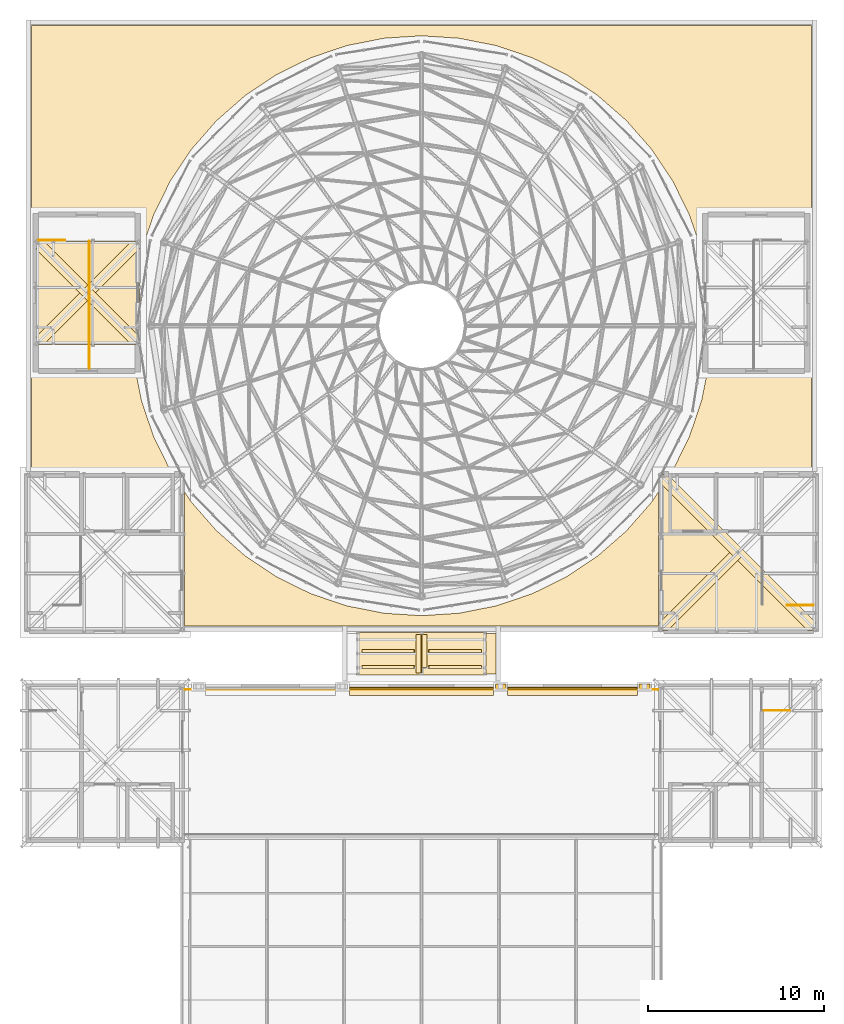
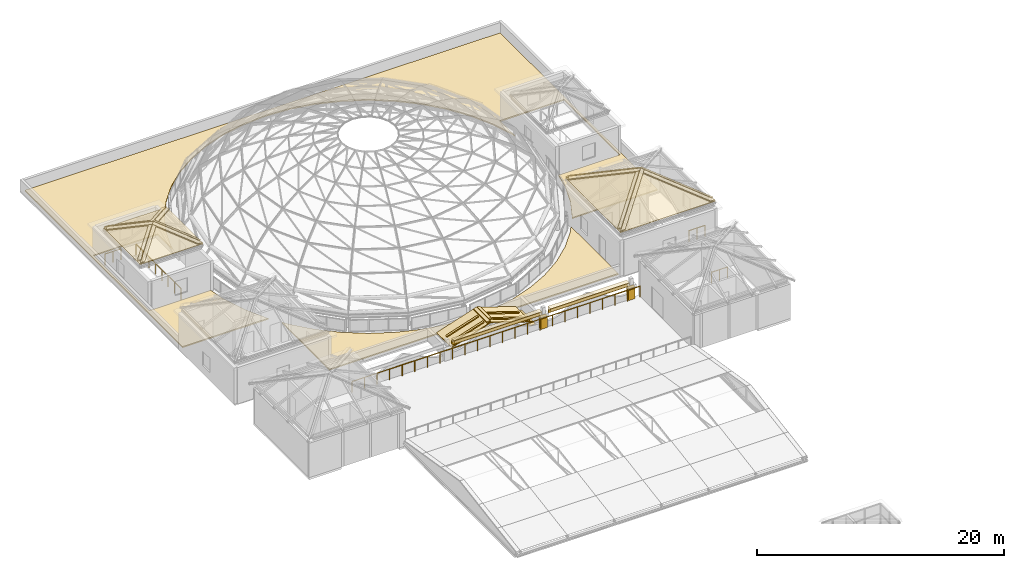
# One storey, part 67 of 69: 37 coverings, 5 railings.
"""IFC4 building model written with IfcOpenShell, lengths in metres."""

from ifc_helpers import new_model, si_unit, direction, frame, origin, origin_2d, place, context, subcontext, project, spatial, polyline, rectangle, circle, outline, extrude, material, layer, layer_set, type_object, element, save


model = new_model("IFC4")

# Units and contexts
model_context = context("Model", 3, precision=1e-05, world=origin(), true_north=direction((0.0, 1.0)))
body_context = subcontext(model_context, "Body", "Model", "MODEL_VIEW")
ifc_project = project(units=[si_unit("LENGTHUNIT", "METRE"), si_unit("AREAUNIT", "SQUARE_METRE"), si_unit("VOLUMEUNIT", "CUBIC_METRE"), si_unit("PLANEANGLEUNIT", "RADIAN"), si_unit("MASSUNIT", "GRAM", prefix="KILO")], contexts=[model_context])

# Site, building, storey
site_placement = place(None, origin())
site = spatial("IfcSite", under=ifc_project, at=site_placement, CompositionType="ELEMENT")
building_placement = place(site_placement, origin())
building = spatial("IfcBuilding", under=site, at=building_placement, Name="Kallimachos Central Library", CompositionType="ELEMENT")
storey_placement = place(building_placement, frame((0.0, 0.0, 23.39990234375)))
storey = spatial("IfcBuildingStorey", under=building, at=storey_placement, Name="L05", CompositionType="ELEMENT", Elevation=23.39990234375)

# Coverings
ifc_material_1 = material(Name="Glazed ceramic hip tile")
ifc_layer_1 = layer(ifc_material_1, 0.1201171875)
ifc_layer_set_1 = layer_set([ifc_layer_1], Name="Ceramic hip tile 300")
covering_type_1 = type_object("IfcCoveringType", Name="Ceramic hip tile 300", PredefinedType="MOLDING", material=ifc_layer_set_1)
covering_1_placement = place(storey_placement, frame((106.01416015625, 91.48583984375, 6.435546875), z_axis=(3.056612e-05, -0.406744607854, 0.913541910942), x_axis=(0.67445632232, -0.674473081909, -0.300324376404)))
element("IfcCovering", 1, at=covering_1_placement, inside=storey, type_object=covering_type_1, Name="Head-house roof V1-SE hip tile", PredefinedType="MOLDING", context=body_context, shape_type="SweptSolid", body=[
    extrude(outline(polyline([(0.0, 0.0), (0.31456181297449826, 0.0), (0.8791892132729303, -6.23676214063371), (0.5931709926014294, -6.549860948916669), (0.0, 0.0)])), origin(), (0.0, 0.0, -1.0), 0.1201171875),
])
covering_2_placement = place(storey_placement, frame((101.748046875, 87.2763671875, 4.548583984375), z_axis=(-0.406522422239, -0.000261720256, 0.913640767326), x_axis=(-0.674461665725, 0.674653452082, -0.299906954005)))
element("IfcCovering", 2, at=covering_2_placement, inside=storey, type_object=covering_type_1, Name="Head-house roof V1-SE hip tile", PredefinedType="MOLDING", context=body_context, shape_type="SweptSolid", body=[
    extrude(outline(polyline([(0.0, 0.0), (0.293481167964776, -2.0816681711721685e-17), (0.31242285424149907, -0.02072399320001158), (-0.25053876741853565, -6.257636714854118), (-0.5651005419729046, -6.257720735271162), (0.0, 0.0)])), origin(), (0.0, 0.0, -1.0), 0.1201171875),
])
covering_3_placement = place(storey_placement, frame((110.421630859375, 87.050048828125, 4.460693359375), z_axis=(-3.056612e-05, -0.406744607854, 0.913541910942), x_axis=(-0.999999999533, 1.2432605e-05, -2.7923432e-05)))
element("IfcCovering", 3, at=covering_3_placement, inside=storey, type_object=covering_type_1, Name="Head-house roof V1-SE hip tile", PredefinedType="MOLDING", context=body_context, shape_type="SweptSolid", body=[
    extrude(outline(polyline([(0.0, 0.0), (0.42407226542689724, 0.0), (4.6479492209212605, -4.623296395955315), (4.435791017300947, -4.855542022003266), (0.0, 0.0)])), origin(), (0.0, 0.0, -1.0), 0.1201171875),
])
covering_4_placement = place(storey_placement, frame((106.01416015625, 91.51416015625, 6.435546875), z_axis=(0.406522422239, -0.000261720256, 0.913640767326), x_axis=(0.674626260598, 0.674456270009, -0.299980246612)))
element("IfcCovering", 4, at=covering_4_placement, inside=storey, type_object=covering_type_1, Name="Head-house roof V1-SE hip tile", PredefinedType="MOLDING", context=body_context, shape_type="SweptSolid", body=[
    extrude(outline(polyline([(0.0, 0.0), (0.31456178577542476, 1.734723475976807e-17), (0.8791892858562154, -6.236762130396304), (0.8602531356972789, -6.257491182239505), (0.56677197820157, -6.257569571958925), (0.0, 0.0)])), origin(), (0.0, 0.0, -1.0), 0.1201171875),
])
covering_5_placement = place(storey_placement, frame((101.578369140625, 95.949951171875, 4.460693359375), z_axis=(3.056612e-05, 0.406744607854, 0.913541910942), x_axis=(0.999999999533, -1.2432605e-05, -2.7923432e-05)))
element("IfcCovering", 5, at=covering_5_placement, inside=storey, type_object=covering_type_1, Name="Head-house roof V1-SE hip tile", PredefinedType="MOLDING", context=body_context, shape_type="SweptSolid", body=[
    extrude(outline(polyline([(0.0, 0.0), (0.42407226542689724, 0.0), (4.6479492209212605, -4.623296395955315), (4.435791017300947, -4.855542022003266), (0.0, 0.0)])), origin(), (0.0, 0.0, -1.0), 0.1201171875),
])
covering_6_placement = place(storey_placement, frame((105.98583984375, 91.48583984375, 6.435546875), z_axis=(-0.406522422239, 0.000261720256, 0.913640767326), x_axis=(-0.674626260598, -0.674456270009, -0.299980246612)))
element("IfcCovering", 6, at=covering_6_placement, inside=storey, type_object=covering_type_1, Name="Head-house roof V1-SE hip tile", PredefinedType="MOLDING", context=body_context, shape_type="SweptSolid", body=[
    extrude(outline(polyline([(0.0, 0.0), (0.31456178577542476, 1.734723475976807e-17), (0.8791892858562154, -6.236762130396304), (0.8602531356972789, -6.257491182239505), (0.56677197820157, -6.257569571958925), (0.0, 0.0)])), origin(), (0.0, 0.0, -1.0), 0.1201171875),
])
covering_7_placement = place(storey_placement, frame((69.01416015625, 106.260986328125, 5.167724609375), z_axis=(-8.8840632e-05, -0.406652913018, 0.913582727749), x_axis=(0.674103355643, -0.674830389029, -0.300314188732)))
element("IfcCovering", 7, at=covering_7_placement, inside=storey, type_object=covering_type_1, Name="Head-house roof V1-NW hip tile", PredefinedType="MOLDING", context=body_context, shape_type="SweptSolid", body=[
    extrude(outline(polyline([(0.0, 0.0), (0.31472652479206964, -1.0408340855860843e-17), (0.6807170659396693, -4.021721493531139), (0.39484852864691117, -4.334956971149855), (0.0, 0.0)])), origin(), (0.0, 0.0, -1.0), 0.1201171875),
])
covering_8_placement = place(storey_placement, frame((66.248046875, 103.55126953125, 3.94873046875), z_axis=(-0.406744035647, -4.68806e-07, 0.913542166222), x_axis=(-0.674457842639, 0.674485009944, -0.300294172211)))
element("IfcCovering", 8, at=covering_8_placement, inside=storey, type_object=covering_type_1, Name="Head-house roof V1-NW hip tile", PredefinedType="MOLDING", context=body_context, shape_type="SweptSolid", body=[
    extrude(outline(polyline([(0.0, 0.0), (0.29355440664375065, 3.469446951953614e-18), (0.3126560329019281, -0.02090856222676218), (-0.05142064554453912, -4.042638421699104), (-0.36598245793225637, -4.042650644617414), (0.0, 0.0)])), origin(), (0.0, 0.0, -1.0), 0.1201171875),
])
covering_9_placement = place(storey_placement, frame((71.921630859375, 103.324951171875, 3.860595703125), z_axis=(8.8840632e-05, -0.406652913018, 0.913582727749), x_axis=(-0.999999996054, -3.6127302e-05, 8.1163267e-05)))
element("IfcCovering", 9, at=covering_9_placement, inside=storey, type_object=covering_type_1, Name="Head-house roof V1-NW hip tile", PredefinedType="MOLDING", context=body_context, shape_type="SweptSolid", body=[
    extrude(outline(polyline([(0.0, 0.0), (0.42407226395147135, 0.0), (3.1479492311728428, -2.981390131328127), (2.93579102386354, -3.2138587969133967), (0.0, 0.0)])), origin(), (0.0, 0.0, -1.0), 0.1201171875),
])
covering_10_placement = place(storey_placement, frame((69.01416015625, 106.2890625, 5.167724609375), z_axis=(0.406744035647, -4.68806e-07, 0.913542166222), x_axis=(0.674481784641, 0.67445632178, -0.300304832125)))
element("IfcCovering", 10, at=covering_10_placement, inside=storey, type_object=covering_type_1, Name="Head-house roof V1-NW hip tile", PredefinedType="MOLDING", context=body_context, shape_type="SweptSolid", body=[
    extrude(outline(polyline([(0.0, 0.0), (0.31456181262519, -6.938893903907228e-18), (0.6787947630255489, -4.021715709520339), (0.6596939492251268, -4.042625013962598), (0.3661395428029899, -4.042636420596805), (0.0, 0.0)])), origin(), (0.0, 0.0, -1.0), 0.1201171875),
])
covering_11_placement = place(storey_placement, frame((66.078369140625, 109.22509765625, 3.860595703125), z_axis=(3.2568234e-05, 0.406739597286, 0.913544141757), x_axis=(0.99999999947, -1.324679e-05, -2.975252e-05)))
element("IfcCovering", 11, at=covering_11_placement, inside=storey, type_object=covering_type_1, Name="Head-house roof V1-NW hip tile", PredefinedType="MOLDING", context=body_context, shape_type="SweptSolid", body=[
    extrude(outline(polyline([(0.0, 0.0), (0.42407226540009546, 0.0), (3.147949220419499, -2.9816131776810995), (2.935791016732173, -3.213858803618895), (0.0, 0.0)])), origin(), (0.0, 0.0, -1.0), 0.1201171875),
])
covering_12_placement = place(storey_placement, frame((68.98583984375, 106.260986328125, 5.167724609375), z_axis=(-0.406744035812, 4.68661e-07, 0.913542166148), x_axis=(-0.674128791057, -0.674879064531, -0.300147665868)))
element("IfcCovering", 12, at=covering_12_placement, inside=storey, type_object=covering_type_1, Name="Head-house roof V1-NW hip tile", PredefinedType="MOLDING", context=body_context, shape_type="SweptSolid", body=[
    extrude(outline(polyline([(0.0, 0.0), (0.3147265264309761, 1.734723475976807e-17), (0.6764913033909676, -4.0221038145415875), (0.6573785173837472, -4.043002175987875), (0.3638241525741563, -4.04284545585698), (0.0, 0.0)])), origin(), (0.0, 0.0, -1.0), 0.1201171875),
])
covering_13_placement = place(storey_placement, frame((68.98583984375, 106.2890625, 5.167724609375), z_axis=(-3.2568234e-05, 0.406739597286, 0.913544141757), x_axis=(-0.674456322568, 0.67447417962, -0.300321910578)))
element("IfcCovering", 13, at=covering_13_placement, inside=storey, type_object=covering_type_1, Name="Head-house roof V1-NW hip tile", PredefinedType="MOLDING", context=body_context, shape_type="SweptSolid", body=[
    extrude(outline(polyline([(0.0, 0.0), (0.3145618129383657, 1.3877787807814457e-17), (0.6787947623941704, -4.022046390326457), (0.3927765416175504, -4.335145198477088), (0.0, 0.0)])), origin(), (0.0, 0.0, -1.0), 0.1201171875),
])
covering_14_placement = place(storey_placement, frame((71.751953125, 108.998779296875, 3.94873046875), z_axis=(0.406744035812, 4.68661e-07, 0.913542166148), x_axis=(0.674457842545, -0.674485009944, -0.300294172423)))
element("IfcCovering", 14, at=covering_14_placement, inside=storey, type_object=covering_type_1, Name="Head-house roof V1-NW hip tile", PredefinedType="MOLDING", context=body_context, shape_type="SweptSolid", body=[
    extrude(outline(polyline([(0.0, 0.0), (0.2935544066437461, 1.3877787807814457e-17), (0.31265603290192356, -0.020908562226762142), (-0.05125597635265422, -4.042818667925197), (-0.3659824579322567, -4.0426506446174155), (0.0, 0.0)])), origin(), (0.0, 0.0, -1.0), 0.1201171875),
])
covering_15_placement = place(storey_placement, frame((87.97998046875, 84.637451171875, 1.852294921875), z_axis=(-0.308788569252, 0.0, 0.951130705791), x_axis=(-0.951130705791, 0.0, -0.308788569252)))
element("IfcCovering", 15, at=covering_15_placement, inside=storey, type_object=covering_type_1, Name="Reading Link roof ridge tile W", PredefinedType="MOLDING", context=body_context, shape_type="SweptSolid", body=[
    extrude(outline(polyline([(0.0, 0.0), (0.3154653995481482, 0.0), (0.3154653995481482, -2.199951171875), (0.0, -2.199951171875), (0.0, 0.0)])), origin(), (0.0, 0.0, -1.0), 0.1201171875),
])
covering_16_placement = place(storey_placement, frame((88.02001953125, 84.9375, 1.852294921875), z_axis=(0.308788569252, 0.0, 0.951130705791), x_axis=(0.951130705791, 0.0, -0.308788569252)))
element("IfcCovering", 16, at=covering_16_placement, inside=storey, type_object=covering_type_1, Name="Reading Link roof ridge tile E", PredefinedType="MOLDING", context=body_context, shape_type="SweptSolid", body=[
    extrude(outline(polyline([(0.0, 0.0), (0.3154653995481482, 0.0), (0.3154653995481482, 1.8999023437500004), (0.0, 1.8999023437500004), (0.0, 0.0)])), origin(), (0.0, 0.0, -1.0), 0.1201171875),
])
ifc_material_2 = material(Name="Glazed ceramic roll tile")
ifc_layer_2 = layer(ifc_material_2, 0.10009765625)
ifc_layer_set_2 = layer_set([ifc_layer_2], Name="Ceramic roll tile rib 180")
covering_type_2 = type_object("IfcCoveringType", Name="Ceramic roll tile rib 180", PredefinedType="ROOFING", material=ifc_layer_set_2)
for number, where, z_axis, x_axis, name in (
    (17, (84.60009765625, 84.8974609375, 0.733154296875), (-0.308993835123, 0.0, 0.951064040881), (0.951064040881, 0.0, 0.308993835123), "Reading Link roll tile rib"),
    (18, (84.60009765625, 85.797607421875, 0.733154296875), (-0.308993835123, 0.0, 0.951064040881), (0.951064040881, 0.0, 0.308993835123), "Reading Link roll tile rib"),
):
    element("IfcCovering", number, at=place(storey_placement, frame(where, z_axis=z_axis, x_axis=x_axis)), inside=storey, type_object=covering_type_2, Name=name, PredefinedType="ROOFING", context=body_context, shape_type="SweptSolid", body=[
        extrude(outline(polyline([(0.0, 0.0), (3.1122624873498297, 0.0), (3.1122624873498297, 0.17993164062500003), (0.0, 0.17993164062500003), (0.0, 0.0)])), origin(), (0.0, 0.0, -1.0), 0.10009765625),
    ])
for number, where, z_axis, x_axis, name in (
    (19, (91.39990234375, 84.8974609375, 0.733154296875), (0.308993835123, 0.0, 0.951064040881), (-0.951064040881, 0.0, 0.308993835123), "Reading Link roll tile rib"),
    (20, (91.39990234375, 85.797607421875, 0.733154296875), (0.308993835123, 0.0, 0.951064040881), (-0.951064040881, 0.0, 0.308993835123), "Reading Link roll tile rib"),
):
    element("IfcCovering", number, at=place(storey_placement, frame(where, z_axis=z_axis, x_axis=x_axis)), inside=storey, type_object=covering_type_2, Name=name, PredefinedType="ROOFING", context=body_context, shape_type="SweptSolid", body=[
        extrude(outline(polyline([(0.0, 0.0), (3.1122624873498297, 0.0), (3.1122624873498297, -0.17993164062500003), (0.0, -0.17993164062500003), (0.0, 0.0)])), origin(), (0.0, 0.0, -1.0), 0.10009765625),
    ])
ifc_material_3 = material(Name="Glazed ceramic frieze, green")
ifc_layer_3 = layer(ifc_material_3, 0.10009765625)
ifc_layer_set_3 = layer_set([ifc_layer_3], Name="Glazed ceramic frieze, green")
covering_type_3 = type_object("IfcCoveringType", Name="Glazed ceramic frieze, green", PredefinedType="CLADDING", material=ifc_layer_set_3)
covering_17_placement = place(storey_placement, frame((88.0, 83.77001953125, 1.3916015625), z_axis=(0.0, 0.0, 1.0), x_axis=(1.0, 0.0, 0.0)))
element("IfcCovering", 21, at=covering_17_placement, inside=storey, type_object=covering_type_3, Name="Glazed ceramic frieze, green -L05-036", PredefinedType="CLADDING", context=body_context, shape_type="SweptSolid", body=[
    extrude(rectangle(XDim=8.199951171875, YDim=0.10009765625, at=origin_2d()), origin(), (0.0, 0.0, 1.0), 0.300048828125),
])
covering_18_placement = place(storey_placement, frame((96.594970703125, 83.77001953125, 1.3916015625), z_axis=(0.0, 0.0, 1.0), x_axis=(1.0, 0.0, 0.0)))
element("IfcCovering", 22, at=covering_18_placement, inside=storey, type_object=covering_type_3, Name="Glazed ceramic frieze, green -L05-037", PredefinedType="CLADDING", context=body_context, shape_type="SweptSolid", body=[
    extrude(rectangle(XDim=7.389892578125, YDim=0.10009765625, at=origin_2d()), origin(), (0.0, 0.0, 1.0), 0.300048828125),
])
ifc_material_4 = material(Name="Glazed ceramic tile on deck")
ifc_layer_4 = layer(ifc_material_4, 0.10009765625)
ifc_layer_set_4 = layer_set([ifc_layer_4], Name="Glazed ceramic tile roofing 100")
covering_type_4 = type_object("IfcCoveringType", Name="Glazed ceramic tile roofing 100", PredefinedType="ROOFING", material=ifc_layer_set_4)
covering_19_placement = place(storey_placement, frame((101.550048828125, 87.050048828125, 4.3291015625), z_axis=(0.0, -0.406770806007, 0.91353024656), x_axis=(1.0, 0.0, 0.0)))
element("IfcCovering", 23, at=covering_19_placement, inside=storey, type_object=covering_type_4, Name="Head-house roof V1-SE roofing S", PredefinedType="ROOFING", context=body_context, shape_type="SweptSolid", body=[
    extrude(outline(polyline([(0.0, 0.0), (8.89990234375, 0.0), (4.449951171875, 4.871159098048421), (0.0, 0.0)])), origin(), (0.0, 0.0, -1.0), 0.10009765625),
])
covering_20_placement = place(storey_placement, frame((101.550048828125, 87.050048828125, 4.3291015625), z_axis=(-0.406770806007, 0.0, 0.91353024656), x_axis=(0.674465334342, 0.674465334342, 0.300321536925)))
element("IfcCovering", 24, at=covering_20_placement, inside=storey, type_object=covering_type_4, Name="Head-house roof V1-SE roofing W", PredefinedType="ROOFING", context=body_context, shape_type="SweptSolid", body=[
    extrude(outline(polyline([(0.0, 0.0), (6.597746311474215, 5.551115123125783e-16), (6.002675609892335, 6.570855899400813), (0.0, 0.0)])), origin(), (0.0, 0.0, -1.0), 0.10009765625),
])
covering_21_placement = place(storey_placement, frame((66.050048828125, 103.324951171875, 3.729248046875), z_axis=(0.0, -0.406755685503, 0.91353697917), x_axis=(1.0, 0.0, 0.0)))
element("IfcCovering", 25, at=covering_21_placement, inside=storey, type_object=covering_type_4, Name="Head-house roof V1-NW roofing S", PredefinedType="ROOFING", context=body_context, shape_type="SweptSolid", body=[
    extrude(outline(polyline([(0.0, 0.0), (5.89990234375, 0.0), (2.949951171875, 3.2291535418253967), (0.0, 0.0)])), origin(), (0.0, 0.0, -1.0), 0.10009765625),
])
covering_22_placement = place(storey_placement, frame((71.949951171875, 109.22509765625, 3.729248046875), z_axis=(0.0, 0.40672759341, 0.91354948676), x_axis=(-1.0, 0.0, 0.0)))
element("IfcCovering", 26, at=covering_22_placement, inside=storey, type_object=covering_type_4, Name="Head-house roof V1-NW roofing N", PredefinedType="ROOFING", context=body_context, shape_type="SweptSolid", body=[
    extrude(outline(polyline([(0.0, 0.0), (5.89990234375, 0.0), (2.949951171875, 3.2293765748413095), (0.0, 0.0)])), origin(), (0.0, 0.0, -1.0), 0.10009765625),
])
covering_23_placement = place(storey_placement, frame((66.050048828125, 103.324951171875, 3.729248046875), z_axis=(-0.406755685503, 0.0, 0.91353697917), x_axis=(0.674468043856, 0.674468043856, 0.300309366544)))
element("IfcCovering", 27, at=covering_23_placement, inside=storey, type_object=covering_type_4, Name="Head-house roof V1-NW roofing W", PredefinedType="ROOFING", context=body_context, shape_type="SweptSolid", body=[
    extrude(outline(polyline([(0.0, 0.0), (4.373744907185396, 1.1102230246251565e-16), (3.9794602577809686, 4.3561019953422235), (0.0, 0.0)])), origin(), (0.0, 0.0, -1.0), 0.10009765625),
])
covering_24_placement = place(storey_placement, frame((71.949951171875, 103.324951171875, 3.729248046875), z_axis=(0.406755685503, 0.0, 0.91353697917), x_axis=(0.0, 1.0, 0.0)))
element("IfcCovering", 28, at=covering_24_placement, inside=storey, type_object=covering_type_4, Name="Head-house roof V1-NW roofing E", PredefinedType="ROOFING", context=body_context, shape_type="SweptSolid", body=[
    extrude(outline(polyline([(0.0, 0.0), (5.900146484375, 0.0), (2.949951171875, 3.2291535418253963), (0.0, 0.0)])), origin(), (0.0, 0.0, -1.0), 0.10009765625),
])
covering_25_placement = place(storey_placement, frame((84.300048828125, 84.53759765625, 0.530517578125), z_axis=(-0.309008026031, 0.0, 0.95105943024), x_axis=(0.95105943024, 0.0, 0.309008026031)))
element("IfcCovering", 29, at=covering_25_placement, inside=storey, type_object=covering_type_4, Name="Reading Link roofing W", PredefinedType="ROOFING", context=body_context, shape_type="SweptSolid", body=[
    extrude(outline(polyline([(0.0, 0.0), (3.8903469691073678, 0.0), (3.8903469691073678, 2.3999023437500004), (0.0, 2.3999023437500004), (0.0, 0.0)])), origin(), (0.0, 0.0, -1.0), 0.10009765625),
])
covering_26_placement = place(storey_placement, frame((91.699951171875, 84.53759765625, 0.530517578125), z_axis=(0.309008026031, 0.0, 0.95105943024), x_axis=(-0.95105943024, 0.0, 0.309008026031)))
element("IfcCovering", 30, at=covering_26_placement, inside=storey, type_object=covering_type_4, Name="Reading Link roofing E", PredefinedType="ROOFING", context=body_context, shape_type="SweptSolid", body=[
    extrude(outline(polyline([(0.0, 0.0), (3.8903469691073678, 0.0), (3.8903469691073678, -2.3999023437500004), (0.0, -2.3999023437500004), (0.0, 0.0)])), origin(), (0.0, 0.0, -1.0), 0.10009765625),
])
ifc_material_5 = material(Name="Stone-ballasted roof membrane", Category="masonry")
ifc_layer_5 = layer(ifc_material_5, 0.1201171875)
ifc_layer_set_5 = layer_set([ifc_layer_5], Name="Roof covering 120")
covering_type_5 = type_object("IfcCoveringType", Name="Roof covering 120", PredefinedType="ROOFING", material=ifc_layer_set_5)
covering_27_placement = place(storey_placement, origin())
element("IfcCovering", 31, at=covering_27_placement, inside=storey, type_object=covering_type_5, Name="Roof covering", PredefinedType="ROOFING", context=body_context, shape_type="SweptSolid", body=[
    extrude(outline(polyline([(65.800048828125, 121.5), (110.199951171875, 121.5), (110.199951171875, 96.0), (102.189208984375, 96.0), (102.289306640625, 96.14990234375), (103.243896484375, 98.085693359375), (103.937744140625, 100.12939453125), (104.26513671875, 101.77490234375), (110.0, 101.77490234375), (110.0, 110.77490234375), (104.0, 110.77490234375), (104.0, 108.357666015625), (103.937744140625, 108.67041015625), (103.243896484375, 110.71435546875), (102.289306640625, 112.64990234375), (101.09033203125, 114.444580078125), (99.667236328125, 116.0673828125), (98.044677734375, 117.490234375), (96.25, 118.689453125), (94.314208984375, 119.64404296875), (92.2705078125, 120.337890625), (90.153564453125, 120.7587890625), (88.0, 120.89990234375), (85.846435546875, 120.7587890625), (83.7294921875, 120.337890625), (81.685791015625, 119.64404296875), (79.75, 118.689453125), (77.955322265625, 117.490234375), (76.332763671875, 116.0673828125), (74.90966796875, 114.444580078125), (73.710693359375, 112.64990234375), (72.756103515625, 110.71435546875), (72.062255859375, 108.67041015625), (72.0, 108.357666015625), (72.0, 110.77490234375), (66.0, 110.77490234375), (66.0, 101.77490234375), (71.73486328125, 101.77490234375), (72.062255859375, 100.12939453125), (72.756103515625, 98.085693359375), (73.710693359375, 96.14990234375), (73.810791015625, 96.0), (65.800048828125, 96.0), (65.800048828125, 121.5)])), origin(), (0.0, 0.0, 1.0), 0.1201171875),
])
covering_28_placement = place(storey_placement, origin())
element("IfcCovering", 32, at=covering_28_placement, inside=storey, type_object=covering_type_5, Name="Roof covering", PredefinedType="ROOFING", context=body_context, shape_type="SweptSolid", body=[
    extrude(outline(polyline([(74.5, 87.300048828125), (74.5, 94.968505859375), (74.90966796875, 94.35546875), (76.332763671875, 92.732666015625), (77.955322265625, 91.3095703125), (79.75, 90.110595703125), (81.685791015625, 89.156005859375), (83.7294921875, 88.462158203125), (85.846435546875, 88.041259765625), (88.0, 87.89990234375), (90.153564453125, 88.041259765625), (92.2705078125, 88.462158203125), (94.314208984375, 89.156005859375), (96.25, 90.110595703125), (98.044677734375, 91.3095703125), (99.667236328125, 92.732666015625), (101.09033203125, 94.35546875), (101.5, 94.968505859375), (101.5, 87.300048828125), (74.5, 87.300048828125)])), origin(), (0.0, 0.0, 1.0), 0.1201171875),
])

# Railings
ifc_material_6 = material(Name="Wrought iron")
railing_type_1 = type_object("IfcRailingType", Name="Roof garden guard", PredefinedType="GUARDRAIL", material=ifc_material_6)
railing_1_placement = place(storey_placement, frame((74.550048828125, 83.699951171875, 0.0)))
element("IfcRailing", 33, at=railing_1_placement, inside=storey, type_object=railing_type_1, Name="North roof garden guard north", PredefinedType="GUARDRAIL", context=body_context, shape_type="SweptSolid", body=[
    extrude(circle(Radius=0.02392578125, at=origin_2d()), frame((0.0, 0.0, 1.076171875), z_axis=(1.0, 0.0, 0.0), x_axis=(0.0, 1.0, 0.0)), (0.0, 0.0, 1.0), 26.89990234375),
    extrude(circle(Radius=0.02099609375, at=origin_2d()), origin(), (0.0, 0.0, 1.0), 1.052001953125),
    extrude(circle(Radius=0.02099609375, at=origin_2d()), frame((1.169677734375, 0.0, 0.0)), (0.0, 0.0, 1.0), 1.052001953125),
    extrude(circle(Radius=0.02099609375, at=origin_2d()), frame((2.339111328125, 0.0, 0.0)), (0.0, 0.0, 1.0), 1.052001953125),
    extrude(circle(Radius=0.02099609375, at=origin_2d()), frame((3.5087890625, 0.0, 0.0)), (0.0, 0.0, 1.0), 1.052001953125),
    extrude(circle(Radius=0.02099609375, at=origin_2d()), frame((4.67822265625, 0.0, 0.0)), (0.0, 0.0, 1.0), 1.052001953125),
    extrude(circle(Radius=0.02099609375, at=origin_2d()), frame((5.847900390625, 0.0, 0.0)), (0.0, 0.0, 1.0), 1.052001953125),
    extrude(circle(Radius=0.02099609375, at=origin_2d()), frame((7.017333984375, 0.0, 0.0)), (0.0, 0.0, 1.0), 1.052001953125),
    extrude(circle(Radius=0.02099609375, at=origin_2d()), frame((8.18701171875, 0.0, 0.0)), (0.0, 0.0, 1.0), 1.052001953125),
    extrude(circle(Radius=0.02099609375, at=origin_2d()), frame((9.3564453125, 0.0, 0.0)), (0.0, 0.0, 1.0), 1.052001953125),
    extrude(circle(Radius=0.02099609375, at=origin_2d()), frame((10.526123046875, 0.0, 0.0)), (0.0, 0.0, 1.0), 1.052001953125),
    extrude(circle(Radius=0.02099609375, at=origin_2d()), frame((11.695556640625, 0.0, 0.0)), (0.0, 0.0, 1.0), 1.052001953125),
    extrude(circle(Radius=0.02099609375, at=origin_2d()), frame((12.865234375, 0.0, 0.0)), (0.0, 0.0, 1.0), 1.052001953125),
    extrude(circle(Radius=0.02099609375, at=origin_2d()), frame((14.03466796875, 0.0, 0.0)), (0.0, 0.0, 1.0), 1.052001953125),
    extrude(circle(Radius=0.02099609375, at=origin_2d()), frame((15.204345703125, 0.0, 0.0)), (0.0, 0.0, 1.0), 1.052001953125),
    extrude(circle(Radius=0.02099609375, at=origin_2d()), frame((16.373779296875, 0.0, 0.0)), (0.0, 0.0, 1.0), 1.052001953125),
    extrude(circle(Radius=0.02099609375, at=origin_2d()), frame((17.54345703125, 0.0, 0.0)), (0.0, 0.0, 1.0), 1.052001953125),
    extrude(circle(Radius=0.02099609375, at=origin_2d()), frame((18.712890625, 0.0, 0.0)), (0.0, 0.0, 1.0), 1.052001953125),
    extrude(circle(Radius=0.02099609375, at=origin_2d()), frame((19.882568359375, 0.0, 0.0)), (0.0, 0.0, 1.0), 1.052001953125),
    extrude(circle(Radius=0.02099609375, at=origin_2d()), frame((21.052001953125, 0.0, 0.0)), (0.0, 0.0, 1.0), 1.052001953125),
    extrude(circle(Radius=0.02099609375, at=origin_2d()), frame((22.2216796875, 0.0, 0.0)), (0.0, 0.0, 1.0), 1.052001953125),
    extrude(circle(Radius=0.02099609375, at=origin_2d()), frame((23.39111328125, 0.0, 0.0)), (0.0, 0.0, 1.0), 1.052001953125),
    extrude(circle(Radius=0.02099609375, at=origin_2d()), frame((24.560791015625, 0.0, 0.0)), (0.0, 0.0, 1.0), 1.052001953125),
    extrude(circle(Radius=0.02099609375, at=origin_2d()), frame((25.730224609375, 0.0, 0.0)), (0.0, 0.0, 1.0), 1.052001953125),
    extrude(circle(Radius=0.02099609375, at=origin_2d()), frame((26.89990234375, 0.0, 0.0)), (0.0, 0.0, 1.0), 1.052001953125),
])
ifc_material_7 = material(Name="Wrought iron")
railing_type_2 = type_object("IfcRailingType", Name="Stair guard", PredefinedType="GUARDRAIL", material=ifc_material_7)
railing_2_placement = place(storey_placement, frame((107.449951171875, 82.5, 0.0)))
element("IfcRailing", 34, at=railing_2_placement, inside=storey, type_object=railing_type_2, Name="L05 ST10 top well guard 1", PredefinedType="GUARDRAIL", context=body_context, shape_type="SweptSolid", body=[
    extrude(circle(Radius=0.02392578125, at=origin_2d()), frame((0.0, 0.0, 1.076171875), z_axis=(1.0, 0.0, 0.0), x_axis=(0.0, 1.0, 0.0)), (0.0, 0.0, 1.0), 1.5),
    extrude(circle(Radius=0.02099609375, at=origin_2d()), origin(), (0.0, 0.0, 1.0), 1.052001953125),
    extrude(circle(Radius=0.02099609375, at=origin_2d()), frame((0.75, 0.0, 0.0)), (0.0, 0.0, 1.0), 1.052001953125),
    extrude(circle(Radius=0.02099609375, at=origin_2d()), frame((1.5, 0.0, 0.0)), (0.0, 0.0, 1.0), 1.052001953125),
])

# Coverings
ifc_material_8 = material(Name="Pentelic marble cornice", Category="masonry")
ifc_layer_6 = layer(ifc_material_8, 0.449951171875)
ifc_layer_set_6 = layer_set([ifc_layer_6], Name="Stone cornice 450")
covering_type_6 = type_object("IfcCoveringType", Name="Stone cornice 450", PredefinedType="MOLDING", material=ifc_layer_set_6)
covering_29_placement = place(storey_placement, frame((88.0, 83.594970703125, 1.71142578125), z_axis=(0.0, 0.0, 1.0), x_axis=(1.0, 0.0, 0.0)))
element("IfcCovering", 35, at=covering_29_placement, inside=storey, type_object=covering_type_6, Name="Stone cornice 450 -L05-036", PredefinedType="MOLDING", context=body_context, shape_type="SweptSolid", body=[
    extrude(rectangle(XDim=8.199951171875, YDim=0.449951171875, at=origin_2d()), origin(), (0.0, 0.0, 1.0), 0.300048828125),
])
covering_30_placement = place(storey_placement, frame((96.594970703125, 83.594970703125, 1.71142578125), z_axis=(0.0, 0.0, 1.0), x_axis=(1.0, 0.0, 0.0)))
element("IfcCovering", 36, at=covering_30_placement, inside=storey, type_object=covering_type_6, Name="Stone cornice 450 -L05-037", PredefinedType="MOLDING", context=body_context, shape_type="SweptSolid", body=[
    extrude(rectangle(XDim=7.389892578125, YDim=0.449951171875, at=origin_2d()), origin(), (0.0, 0.0, 1.0), 0.300048828125),
])
ifc_material_9 = material(Name="Pentelic marble pinnacle", Category="masonry")
ifc_layer_7 = layer(ifc_material_9, 0.60009765625)
ifc_layer_set_7 = layer_set([ifc_layer_7], Name="Stone pinnacle shaft 600")
covering_type_7 = type_object("IfcCoveringType", Name="Stone pinnacle shaft 600", PredefinedType="MOLDING", material=ifc_layer_set_7)
for number, where, z_axis, x_axis, name in (
    (37, (92.5, 83.8701171875, 0.0), (0.0, 0.0, 1.0), (1.0, 0.0, 0.0), "North row roof edge pinnacle 3 shaft"),
    (38, (100.68994140625, 83.8701171875, 0.0), (0.0, 0.0, 1.0), (1.0, 0.0, 0.0), "North row roof edge pinnacle 4 shaft"),
):
    element("IfcCovering", number, at=place(storey_placement, frame(where, z_axis=z_axis, x_axis=x_axis)), inside=storey, type_object=covering_type_7, Name=name, PredefinedType="MOLDING", context=body_context, shape_type="SweptSolid", body=[
        extrude(rectangle(XDim=0.60009765625, YDim=0.300048828125, at=origin_2d()), origin(), (0.0, 0.0, 1.0), 1.1943359375),
    ])
ifc_material_10 = material(Name="Lead-coated copper sheet")
ifc_layer_8 = layer(ifc_material_10, 0.02001953125)
ifc_layer_set_8 = layer_set([ifc_layer_8], Name="Valley gutter lining")
covering_type_8 = type_object("IfcCoveringType", Name="Valley gutter lining", PredefinedType="MEMBRANE", material=ifc_layer_set_8)
covering_31_placement = place(storey_placement, frame((91.9599609375, 85.737548828125, 0.0), z_axis=(0.0, 0.0, 1.0), x_axis=(1.0, 0.0, 0.0)))
element("IfcCovering", 39, at=covering_31_placement, inside=storey, type_object=covering_type_8, Name="Reading Link roof gutter E", PredefinedType="MEMBRANE", context=body_context, shape_type="SweptSolid", body=[
    extrude(rectangle(XDim=0.56005859375, YDim=2.300048828125, at=origin_2d()), origin(), (0.0, 0.0, 1.0), 0.02001953125),
])

# Railings
ifc_material_11 = material(Name="Wrought iron")
railing_type_3 = type_object("IfcRailingType", Name="Wrought-iron stair guard 1100", PredefinedType="GUARDRAIL", material=ifc_material_11)
railing_3_placement = place(storey_placement, frame((110.300048828125, 88.5, 0.0)))
element("IfcRailing", 40, at=railing_3_placement, inside=storey, type_object=railing_type_3, Name="L05 ST2 top well guard 1", PredefinedType="GUARDRAIL", context=body_context, shape_type="SweptSolid", body=[
    extrude(circle(Radius=0.02392578125, at=origin_2d()), frame((0.0, 0.0, 1.076171875), z_axis=(-1.0, 0.0, 0.0), x_axis=(0.0, -1.0, 0.0)), (0.0, 0.0, 1.0), 1.5),
    extrude(circle(Radius=0.02099609375, at=origin_2d()), origin(), (0.0, 0.0, 1.0), 1.052001953125),
    extrude(circle(Radius=0.02099609375, at=origin_2d()), frame((-0.75, 0.0, 0.0)), (0.0, 0.0, 1.0), 1.052001953125),
    extrude(circle(Radius=0.02099609375, at=origin_2d()), frame((-1.5, 0.0, 0.0)), (0.0, 0.0, 1.0), 1.052001953125),
])
railing_4_placement = place(storey_placement, frame((66.199951171875, 109.27490234375, 0.0)))
element("IfcRailing", 41, at=railing_4_placement, inside=storey, type_object=railing_type_3, Name="L05 ST3 top well guard 1", PredefinedType="GUARDRAIL", context=body_context, shape_type="SweptSolid", body=[
    extrude(circle(Radius=0.02392578125, at=origin_2d()), frame((0.0, 0.0, 1.076171875), z_axis=(1.0, 0.0, 0.0), x_axis=(0.0, 1.0, 0.0)), (0.0, 0.0, 1.0), 1.5),
    extrude(circle(Radius=0.02099609375, at=origin_2d()), origin(), (0.0, 0.0, 1.0), 1.052001953125),
    extrude(circle(Radius=0.02099609375, at=origin_2d()), frame((0.75, 0.0, 0.0)), (0.0, 0.0, 1.0), 1.052001953125),
    extrude(circle(Radius=0.02099609375, at=origin_2d()), frame((1.5, 0.0, 0.0)), (0.0, 0.0, 1.0), 1.052001953125),
])
railing_5_placement = place(storey_placement, frame((69.10009765625, 109.220947265625, 0.0)))
element("IfcRailing", 42, at=railing_5_placement, inside=storey, type_object=railing_type_3, Name="L05 ST3 roof stair well guard", PredefinedType="GUARDRAIL", context=body_context, shape_type="SweptSolid", body=[
    extrude(circle(Radius=0.02392578125, at=origin_2d()), frame((0.0, 0.0, 1.076171875), z_axis=(0.0, -1.0, 0.0), x_axis=(1.0, 0.0, 0.0)), (0.0, 0.0, 1.0), 7.245849609375),
    extrude(circle(Radius=0.02099609375, at=origin_2d()), origin(), (0.0, 0.0, 1.0), 1.052001953125),
    extrude(circle(Radius=0.02099609375, at=origin_2d()), frame((0.0, -1.03515625, 0.0)), (0.0, 0.0, 1.0), 1.052001953125),
    extrude(circle(Radius=0.02099609375, at=origin_2d()), frame((0.0, -2.0703125, 0.0)), (0.0, 0.0, 1.0), 1.052001953125),
    extrude(circle(Radius=0.02099609375, at=origin_2d()), frame((0.0, -3.10546875, 0.0)), (0.0, 0.0, 1.0), 1.052001953125),
    extrude(circle(Radius=0.02099609375, at=origin_2d()), frame((0.0, -4.140380859375, 0.0)), (0.0, 0.0, 1.0), 1.052001953125),
    extrude(circle(Radius=0.02099609375, at=origin_2d()), frame((0.0, -5.175537109375, 0.0)), (0.0, 0.0, 1.0), 1.052001953125),
    extrude(circle(Radius=0.02099609375, at=origin_2d()), frame((0.0, -6.210693359375, 0.0)), (0.0, 0.0, 1.0), 1.052001953125),
    extrude(circle(Radius=0.02099609375, at=origin_2d()), frame((0.0, -7.245849609375, 0.0)), (0.0, 0.0, 1.0), 1.052001953125),
])

save(model, "model.ifc")
